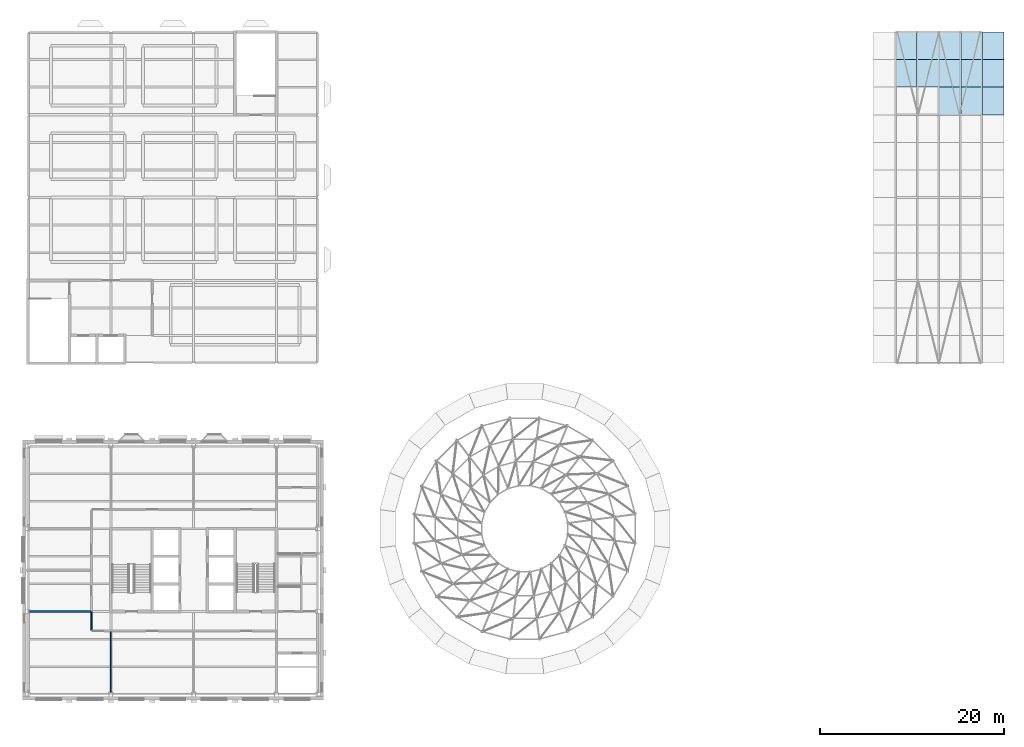
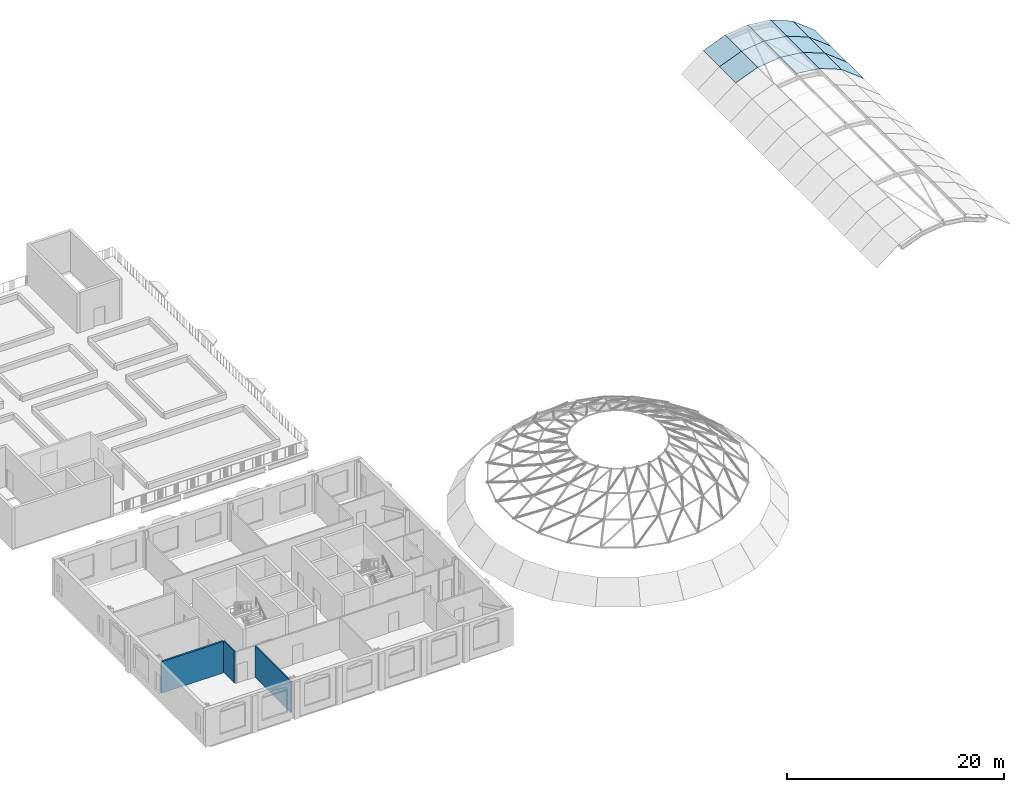
# One storey, part 11 of 33: 13 plates, 3 walls.
"""IFC4 building model written with IfcOpenShell, lengths in metres."""

from ifc_helpers import new_model, si_unit, direction, frame, frame_2d, origin, place, context, subcontext, project, spatial, polyline, rectangle, outline, extrude, material, layer, layer_set, type_object, element, save


model = new_model("IFC4")

# Units and contexts
model_context = context("Model", 3, precision=1e-05, world=origin(), true_north=direction((0.0, 1.0)))
body_context = subcontext(model_context, "Body", "Model", "MODEL_VIEW")
ifc_project = project(units=[si_unit("LENGTHUNIT", "METRE"), si_unit("AREAUNIT", "SQUARE_METRE"), si_unit("VOLUMEUNIT", "CUBIC_METRE"), si_unit("PLANEANGLEUNIT", "RADIAN"), si_unit("MASSUNIT", "GRAM", prefix="KILO")], contexts=[model_context])

# Site, building, storey
site_placement = place(None, origin())
site = spatial("IfcSite", under=ifc_project, at=site_placement, CompositionType="ELEMENT")
building_placement = place(site_placement, origin())
building = spatial("IfcBuilding", under=site, at=building_placement, Name="Hortulan Conservatory and Botanical Research Centre", CompositionType="ELEMENT")
storey_placement = place(building_placement, frame((0.0, 0.0, 19.199951171875)))
storey = spatial("IfcBuildingStorey", under=building, at=storey_placement, Name="L04", CompositionType="ELEMENT", Elevation=19.199951171875)

# Plates
ifc_material_1 = material(Name="Verdigris copper-green zinc sheet on timber decking", Category="wood")
ifc_layer_1 = layer(ifc_material_1, 0.0400390625)
ifc_layer_set_1 = layer_set([ifc_layer_1], Name="Vault Roof Zinc Panel 40")
plate_type = type_object("IfcPlateType", Name="Vault Roof Zinc Panel 40", PredefinedType="SHEET", material=ifc_layer_set_1)
for number, where, z_axis, x_axis, name in (
    (1, (94.25146484375, 66.0, 1.10986328125), (-0.366524518382, 0.0, 0.930408392817), (0.930408392817, 0.0, 0.366524518382), "Vault roof panel"),
    (2, (94.25146484375, 69.0, 1.10986328125), (-0.366524518382, 0.0, 0.930408392817), (0.930408392817, 0.0, 0.366524518382), "Vault roof panel"),
):
    element("IfcPlate", number, at=place(storey_placement, frame(where, z_axis=z_axis, x_axis=x_axis)), inside=storey, type_object=plate_type, Name=name, PredefinedType="SHEET", context=body_context, shape_type="SweptSolid", body=[
        extrude(outline(polyline([(0.0, 0.0), (2.511183045303114, 0.0), (2.511183045303114, 3.0), (0.0, 3.0), (0.0, 0.0)])), origin(), (0.0, 0.0, -1.0), 0.0400390625),
    ])
for number, where, z_axis, x_axis, name in (
    (3, (96.587890625, 66.0, 2.0302734375), (-0.122056241944, 0.0, 0.992523185524), (0.992523185524, 0.0, 0.122056241944), "Vault roof panel"),
    (4, (96.587890625, 69.0, 2.0302734375), (-0.122056241944, 0.0, 0.992523185524), (0.992523185524, 0.0, 0.122056241944), "Vault roof panel"),
    (5, (99.0, 63.0, 2.326904296875), (0.122056241944, 0.0, 0.992523185524), (0.992523185524, 0.0, -0.122056241944), "Vault roof panel"),
    (6, (99.0, 66.0, 2.326904296875), (0.122056241944, 0.0, 0.992523185524), (0.992523185524, 0.0, -0.122056241944), "Vault roof panel"),
    (7, (99.0, 69.0, 2.326904296875), (0.122056241944, 0.0, 0.992523185524), (0.992523185524, 0.0, -0.122056241944), "Vault roof panel"),
):
    element("IfcPlate", number, at=place(storey_placement, frame(where, z_axis=z_axis, x_axis=x_axis)), inside=storey, type_object=plate_type, Name=name, PredefinedType="SHEET", context=body_context, shape_type="SweptSolid", body=[
        extrude(outline(polyline([(0.0, 0.0), (2.4302801286469924, 0.0), (2.4302801286469924, 3.0), (0.0, 3.0), (0.0, 0.0)])), origin(), (0.0, 0.0, -1.0), 0.0400390625),
    ])
for number, where, z_axis, x_axis, name in (
    (8, (101.412109375, 63.0, 2.0302734375), (0.366524518382, 0.0, 0.930408392817), (0.930408392817, 0.0, -0.366524518382), "Vault roof panel"),
    (9, (101.412109375, 66.0, 2.0302734375), (0.366524518382, 0.0, 0.930408392817), (0.930408392817, 0.0, -0.366524518382), "Vault roof panel"),
    (10, (101.412109375, 69.0, 2.0302734375), (0.366524518382, 0.0, 0.930408392817), (0.930408392817, 0.0, -0.366524518382), "Vault roof panel"),
):
    element("IfcPlate", number, at=place(storey_placement, frame(where, z_axis=z_axis, x_axis=x_axis)), inside=storey, type_object=plate_type, Name=name, PredefinedType="SHEET", context=body_context, shape_type="SweptSolid", body=[
        extrude(outline(polyline([(0.0, 0.0), (2.511183045303114, 0.0), (2.511183045303114, 3.0), (0.0, 3.0), (0.0, 0.0)])), origin(), (0.0, 0.0, -1.0), 0.0400390625),
    ])
for number, where, z_axis, x_axis, name in (
    (11, (103.74853515625, 63.0, 1.10986328125), (0.613063480961, 0.0, 0.790033650113), (0.790033650113, 0.0, -0.613063480961), "Vault roof panel"),
    (12, (103.74853515625, 66.0, 1.10986328125), (0.613063480961, 0.0, 0.790033650113), (0.790033650113, 0.0, -0.613063480961), "Vault roof panel"),
    (13, (103.74853515625, 69.0, 1.10986328125), (0.613063480961, 0.0, 0.790033650113), (0.790033650113, 0.0, -0.613063480961), "Vault roof panel"),
):
    element("IfcPlate", number, at=place(storey_placement, frame(where, z_axis=z_axis, x_axis=x_axis)), inside=storey, type_object=plate_type, Name=name, PredefinedType="SHEET", context=body_context, shape_type="SweptSolid", body=[
        extrude(outline(polyline([(0.0, 0.0), (2.968808966603175, 0.0), (2.968808966603175, 3.0), (0.0, 3.0), (0.0, 0.0)])), origin(), (0.0, 0.0, -1.0), 0.0400390625),
    ])

# Walls
ifc_material_2 = material(Name="Fire-rated plasterboard on steel studs", Category="steel")
ifc_layer_2 = layer(ifc_material_2, 0.199951171875)
ifc_layer_set_2 = layer_set([ifc_layer_2], Name="Compartment Partition 200")
wall_type_1 = type_object("IfcWallType", Name="Compartment Partition 200", PredefinedType="PARTITIONING", material=ifc_layer_set_2)
wall_1_placement = place(storey_placement, frame((0.2099609375, 9.0, 0.0), z_axis=(0.0, 0.0, 1.0), x_axis=(1.0, 0.0, 0.0)))
element("IfcWall", 14, at=wall_1_placement, inside=storey, type_object=wall_type_1, Name="Store wall", PredefinedType="PARTITIONING", context=body_context, shape_type="SweptSolid", body=[
    extrude(rectangle(XDim=6.580078125, YDim=0.199951171875, at=frame_2d((3.2900390625, 0.0))), origin(), (0.0, 0.0, 1.0), 3.537109375),
])
ifc_material_3 = material(Name="Plasterboard on steel studs", Category="steel")
ifc_layer_3 = layer(ifc_material_3, 0.14990234375)
ifc_layer_set_3 = layer_set([ifc_layer_3], Name="Corridor Partition 150")
wall_type_2 = type_object("IfcWallType", Name="Corridor Partition 150", PredefinedType="PARTITIONING", material=ifc_layer_set_3)
wall_2_placement = place(storey_placement, frame((6.89990234375, 6.985107421875, 0.0), z_axis=(0.0, 0.0, 1.0), x_axis=(0.0, 1.0, 0.0)))
element("IfcWall", 15, at=wall_2_placement, inside=storey, type_object=wall_type_2, Name="Corridor partition", PredefinedType="PARTITIONING", context=body_context, shape_type="SweptSolid", body=[
    extrude(rectangle(XDim=2.0048828125, YDim=0.14990234375, at=frame_2d((1.00244140625, 0.0))), origin(), (0.0, 0.0, 1.0), 3.537109375),
])
ifc_layer_4 = layer(ifc_material_3, 0.125)
ifc_layer_set_4 = layer_set([ifc_layer_4], Name="Partition 125")
wall_type_3 = type_object("IfcWallType", Name="Partition 125", PredefinedType="PARTITIONING", material=ifc_layer_set_4)
wall_3_placement = place(storey_placement, frame((9.0, 0.220947265625, 0.0), z_axis=(0.0, 0.0, 1.0), x_axis=(0.0, 1.0, 0.0)))
element("IfcWall", 16, at=wall_3_placement, inside=storey, type_object=wall_type_3, Name="Partition", PredefinedType="PARTITIONING", context=body_context, shape_type="SweptSolid", body=[
    extrude(rectangle(XDim=6.593994140625, YDim=0.125, at=frame_2d((3.296875, 0.0))), origin(), (0.0, 0.0, 1.0), 3.537109375),
])

save(model, "model.ifc")
